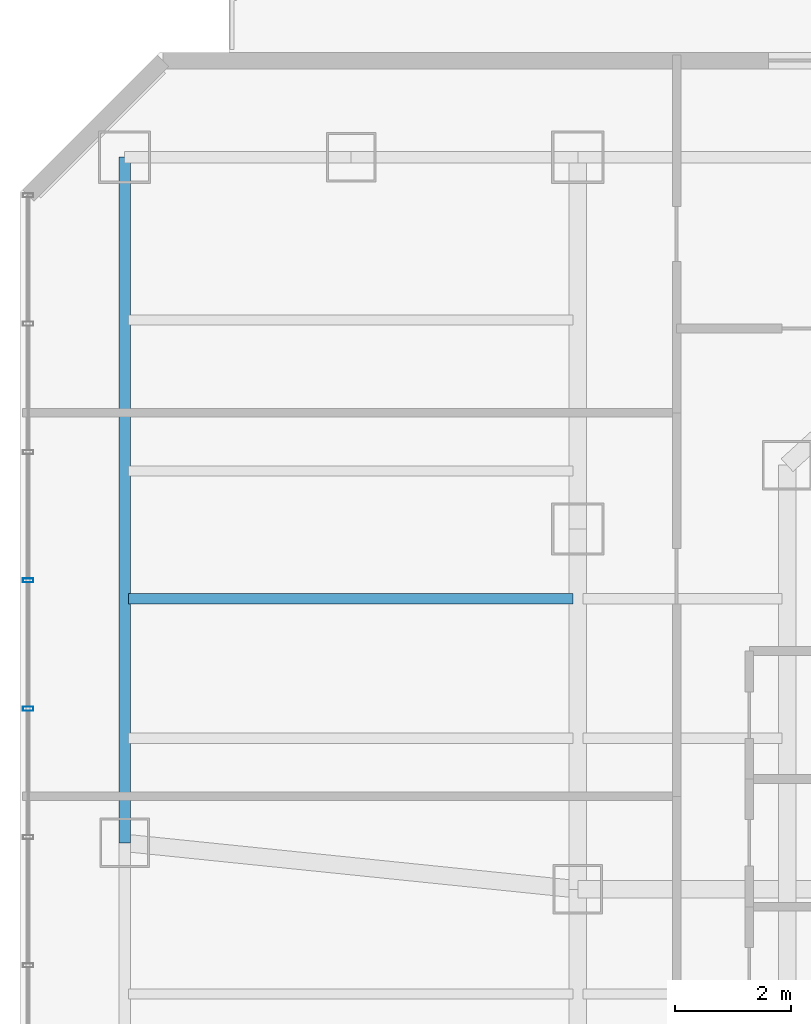
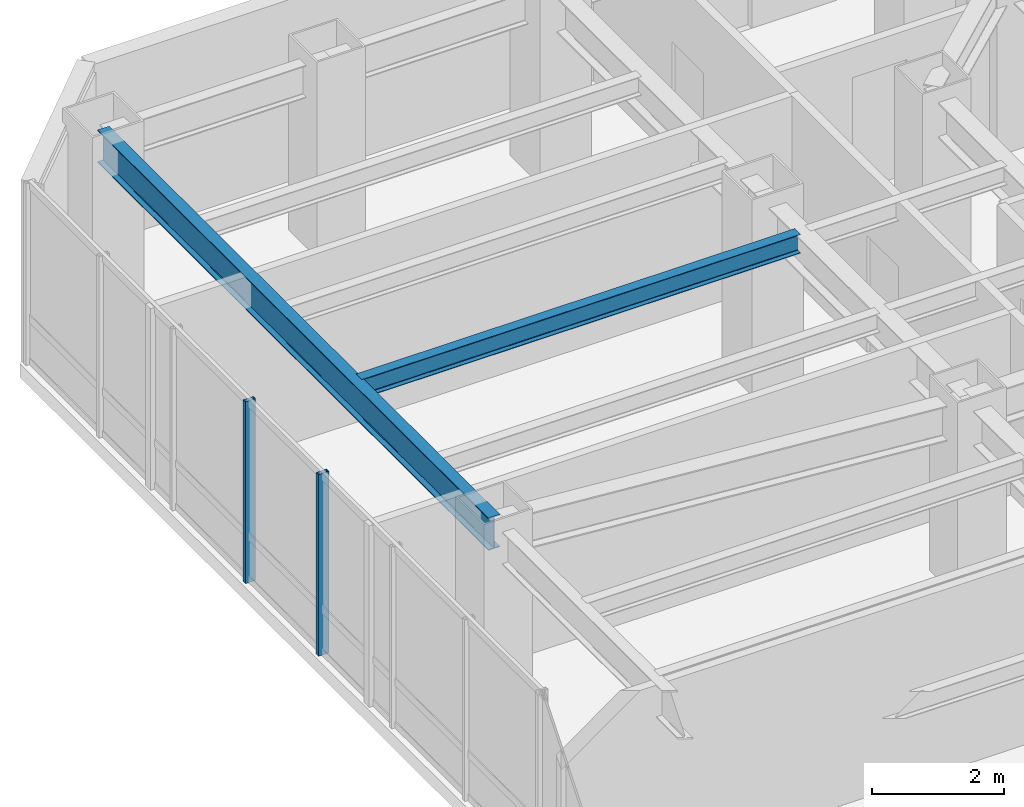
# One storey, part 15 of 31: 2 beams, 2 members, 1 element without a shape of its own.
"""IFC4 building model written with IfcOpenShell, lengths in metres."""

from ifc_helpers import new_model, si_unit, direction, frame, origin, origin_2d, place, context, subcontext, project, spatial, hollow_rectangle, i_section, extrude, material, layer, layer_set, material_profile, profile_set, type_object, element, aggregate, save


model = new_model("IFC4")

# Units and contexts
model_context = context("Model", 3, precision=1e-05, world=origin(), true_north=direction((0.0, 1.0)))
body_context = subcontext(model_context, "Body", "Model", "MODEL_VIEW")
ifc_project = project(units=[si_unit("LENGTHUNIT", "METRE"), si_unit("AREAUNIT", "SQUARE_METRE"), si_unit("VOLUMEUNIT", "CUBIC_METRE"), si_unit("PLANEANGLEUNIT", "RADIAN"), si_unit("MASSUNIT", "GRAM", prefix="KILO")], contexts=[model_context])

# Site, building, storey
site_placement = place(None, origin())
site = spatial("IfcSite", under=ifc_project, at=site_placement, CompositionType="ELEMENT")
building_placement = place(site_placement, origin())
building = spatial("IfcBuilding", under=site, at=building_placement, Name="Hatsunagi Terrace Concourse", CompositionType="ELEMENT")
storey_placement = place(building_placement, frame((0.0, 0.0, 112.050048828125)))
storey = spatial("IfcBuildingStorey", under=building, at=storey_placement, Name="L29", CompositionType="ELEMENT", Elevation=112.050048828125)

# Curtain wall, members
ifc_material_1 = material(Name="Anodised Aluminium Alloy 6063-T5", Category="aluminium")
ifc_layer = layer(ifc_material_1, 0.199951171875)
ifc_layer_set = layer_set([ifc_layer], Name="OfficeZone1_CW03")
curtain_wall_type = type_object("IfcCurtainWallType", Name="OfficeZone1_CW03", PredefinedType="NOTDEFINED", material=ifc_layer_set)
curtain_wall_placement = place(storey_placement, origin())
curtain_wall = element("IfcCurtainWall", 1, at=curtain_wall_placement, inside=storey, type_object=curtain_wall_type, Name="Unitised Curtain Wall CW-03 CW-L29-09", PredefinedType="NOTDEFINED")
ifc_material_2 = material(Name="Anodised Aluminium Alloy 6063-T5", Category="aluminium")
ifc_material_profile_1 = material_profile(ifc_material_2, hollow_rectangle(XDim=0.070068359375, YDim=0.179931640625, WallThickness=0.00390625, at=origin_2d()), Name="ALU-MUL-180x70x4")
ifc_profile_set_1 = profile_set([ifc_material_profile_1], Name="Anodised Aluminium Alloy 6063-T5")
member_type = type_object("IfcMemberType", Name="CurtainWallMullion_180x70", PredefinedType="MULLION", material=ifc_profile_set_1)
member_1_placement = place(storey_placement, frame((9.739990234375, 39.10791015625, 0.0), z_axis=(0.0, 0.0, 1.0), x_axis=(0.0, 1.0, 0.0)))
member_1 = element("IfcMember", 2, at=member_1_placement, type_object=member_type, Name="Curtain Wall Mullion MUL-02", PredefinedType="MULLION", context=body_context, shape_type="SweptSolid", body=[
    extrude(hollow_rectangle(XDim=0.070068359375, YDim=0.179931640625, WallThickness=0.00390625, at=origin_2d()), origin(), (0.0, 0.0, 1.0), 3.349853515625),
])
member_2_placement = place(storey_placement, frame((9.739990234375, 41.31689453125, 0.0), z_axis=(0.0, 0.0, 1.0), x_axis=(0.0, 1.0, 0.0)))
member_2 = element("IfcMember", 3, at=member_2_placement, type_object=member_type, Name="Curtain Wall Mullion MUL-02", PredefinedType="MULLION", context=body_context, shape_type="SweptSolid", body=[
    extrude(hollow_rectangle(XDim=0.070068359375, YDim=0.179931640625, WallThickness=0.00390625, at=origin_2d()), origin(), (0.0, 0.0, 1.0), 3.349853515625),
])
aggregate(curtain_wall, [member_1, member_2])

# Beams
ifc_material_3 = material(Name="Steel SN490B", Category="steel")
ifc_material_profile_2 = material_profile(ifc_material_3, i_section(OverallWidth=0.175048828125, OverallDepth=0.35009765625, WebThickness=0.007080078125, FlangeThickness=0.010986328125, FilletRadius=0.012939453125, at=origin_2d()), Name="H-350x175x7x11")
ifc_profile_set_2 = profile_set([ifc_material_profile_2], Name="Steel SN490B")
beam_type_1 = type_object("IfcBeamType", Name="HotelJoist_H_350x175", PredefinedType="JOIST", material=ifc_profile_set_2)
beam_1_placement = place(storey_placement, frame((11.465087890625, 41.0, 3.175048828125), z_axis=(1.0, 0.0, 0.0), x_axis=(0.0, 1.0, 0.0)))
element("IfcBeam", 4, at=beam_1_placement, inside=storey, type_object=beam_type_1, Name="Beam J-02 J-L29-W-11-410", PredefinedType="JOIST", context=body_context, shape_type="SweptSolid", body=[
    extrude(i_section(OverallWidth=0.175048828125, OverallDepth=0.35009765625, WebThickness=0.007080078125, FlangeThickness=0.010986328125, FilletRadius=0.012939453125, at=origin_2d()), origin(), (0.0, 0.0, 1.0), 7.64990234375),
])
ifc_material_4 = material(Name="Steel SN490B", Category="steel")
ifc_material_profile_3 = material_profile(ifc_material_4, i_section(OverallWidth=0.199951171875, OverallDepth=0.60009765625, WebThickness=0.010986328125, FlangeThickness=0.01708984375, FilletRadius=0.01806640625, at=origin_2d()), Name="H-600x200x11x17")
ifc_profile_set_3 = profile_set([ifc_material_profile_3], Name="Steel SN490B")
beam_type_2 = type_object("IfcBeamType", Name="PerimeterSpandrel_H_600x200", PredefinedType="SPANDREL", material=ifc_profile_set_3)
beam_2_placement = place(storey_placement, frame((11.39990234375, 36.800048828125, 3.050048828125), z_axis=(0.0, 1.0, 0.0), x_axis=(-1.0, 0.0, 0.0)))
element("IfcBeam", 5, at=beam_2_placement, inside=storey, type_object=beam_type_2, Name="Beam SP-01 BM-L29-NS-11-36", PredefinedType="SPANDREL", context=body_context, shape_type="SweptSolid", body=[
    extrude(i_section(OverallWidth=0.199951171875, OverallDepth=0.60009765625, WebThickness=0.010986328125, FlangeThickness=0.01708984375, FilletRadius=0.01806640625, at=origin_2d()), origin(), (0.0, 0.0, 1.0), 11.800048828125),
])

save(model, "model.ifc")
